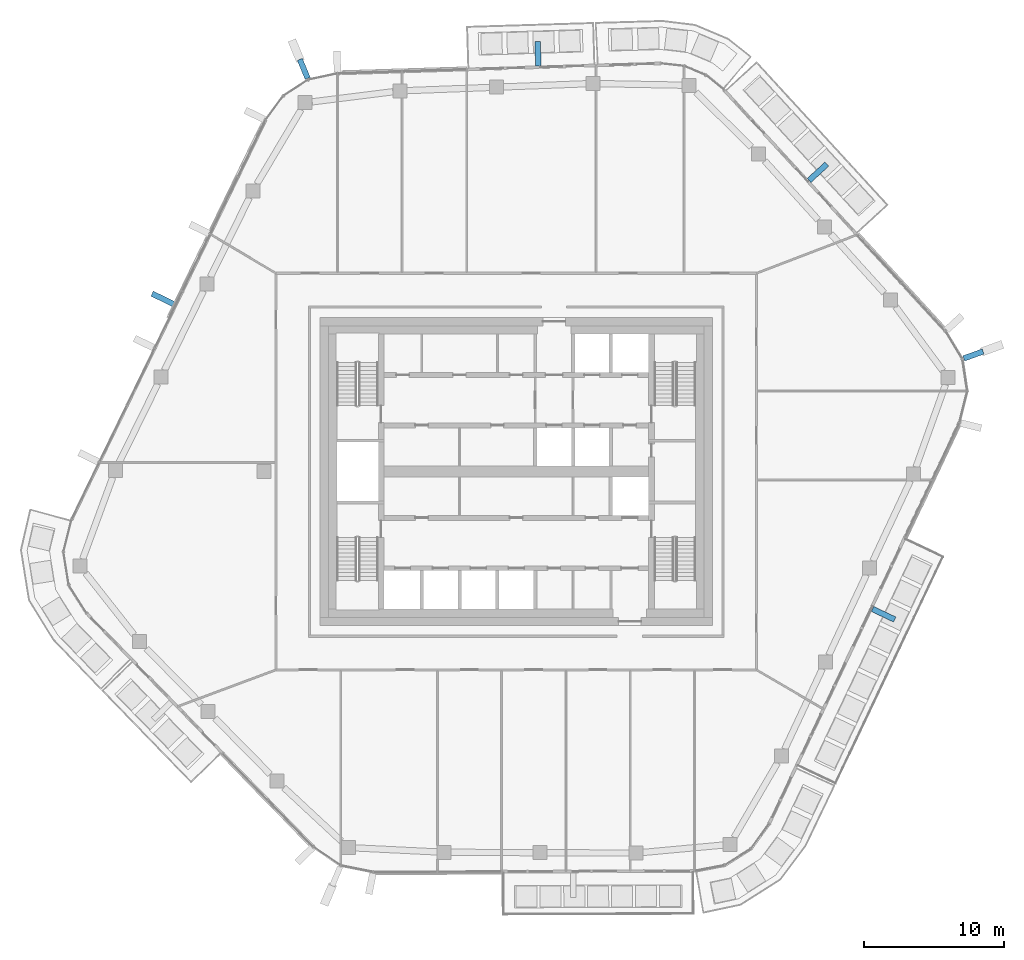
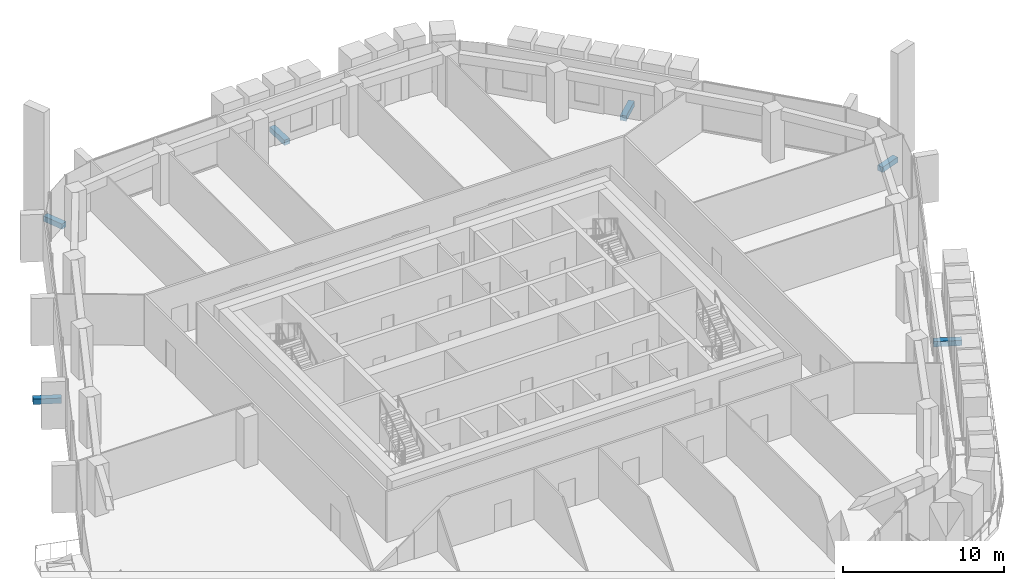
# One storey, part 17 of 24: 6 discrete accessories.
"""IFC4 building model written with IfcOpenShell, lengths in metres."""

from ifc_helpers import new_model, si_unit, direction, frame, origin, origin_2d, place, context, subcontext, project, spatial, rectangle, extrude, material, type_object, element, save


model = new_model("IFC4")

# Units and contexts
model_context = context("Model", 3, precision=1e-05, world=origin(), true_north=direction((0.0, 1.0)))
body_context = subcontext(model_context, "Body", "Model", "MODEL_VIEW")
ifc_project = project(units=[si_unit("LENGTHUNIT", "METRE"), si_unit("AREAUNIT", "SQUARE_METRE"), si_unit("VOLUMEUNIT", "CUBIC_METRE"), si_unit("PLANEANGLEUNIT", "RADIAN"), si_unit("MASSUNIT", "GRAM", prefix="KILO")], contexts=[model_context])

# Site, building, storey
site_placement = place(None, origin())
site = spatial("IfcSite", under=ifc_project, at=site_placement, CompositionType="ELEMENT")
building_placement = place(site_placement, origin())
building = spatial("IfcBuilding", under=site, at=building_placement, Name="Dongbaek Canopy Tower", CompositionType="ELEMENT")
storey_placement = place(building_placement, frame((0.0, 0.0, 344.60009765625)))
storey = spatial("IfcBuildingStorey", under=building, at=storey_placement, Name="L74", CompositionType="ELEMENT", Elevation=344.60009765625)

# Discrete accessories
ifc_material = material(Name="Galvanised steel S355 bracket", Category="steel")
discrete_accessory_type = type_object("IfcDiscreteAccessoryType", Name="Crease fin bracket BR3 400", PredefinedType="BRACKET", material=ifc_material)
discrete_accessory_1_placement = place(storey_placement, frame((26.2109375, -10.182861328125, -0.39013671875), z_axis=(0.0, 0.0, 1.0), x_axis=(0.903531340267, -0.428522014784, 0.0)))
element("IfcDiscreteAccessory", 1, at=discrete_accessory_1_placement, inside=storey, type_object=discrete_accessory_type, Name="Crease fin bracket L74 F5", PredefinedType="BRACKET", context=body_context, shape_type="SweptSolid", body=[
    extrude(rectangle(XDim=1.7578125, YDim=0.39990234375, at=origin_2d()), origin(), (0.0, 0.0, 1.0), 0.39990234375),
])
discrete_accessory_2_placement = place(storey_placement, frame((21.525390625, 21.35498046875, -0.39013671875), z_axis=(0.0, 0.0, 1.0), x_axis=(0.736567095318, 0.676364483171, 0.0)))
element("IfcDiscreteAccessory", 2, at=discrete_accessory_2_placement, inside=storey, type_object=discrete_accessory_type, Name="Crease fin bracket L74 F0", PredefinedType="BRACKET", context=body_context, shape_type="SweptSolid", body=[
    extrude(rectangle(XDim=1.722412109375, YDim=0.39990234375, at=origin_2d()), origin(), (0.0, 0.0, 1.0), 0.39990234375),
])
discrete_accessory_3_placement = place(storey_placement, frame((1.548095703125, 29.8203125, -0.39013671875), z_axis=(0.0, 0.0, 1.0), x_axis=(-0.031004295439, 0.999519251272, 0.0)))
element("IfcDiscreteAccessory", 3, at=discrete_accessory_3_placement, inside=storey, type_object=discrete_accessory_type, Name="Crease fin bracket L74 F1", PredefinedType="BRACKET", context=body_context, shape_type="SweptSolid", body=[
    extrude(rectangle(XDim=1.731201171875, YDim=0.39990234375, at=origin_2d()), origin(), (0.0, 0.0, 1.0), 0.39990234375),
])
discrete_accessory_4_placement = place(storey_placement, frame((-25.193115234375, 12.31005859375, -0.39013671875), z_axis=(0.0, 0.0, 1.0), x_axis=(-0.899563115429, 0.436790798164, 0.0)))
element("IfcDiscreteAccessory", 4, at=discrete_accessory_4_placement, inside=storey, type_object=discrete_accessory_type, Name="Crease fin bracket L74 F2", PredefinedType="BRACKET", context=body_context, shape_type="SweptSolid", body=[
    extrude(rectangle(XDim=1.77392578125, YDim=0.39990234375, at=origin_2d()), origin(), (0.0, 0.0, 1.0), 0.39990234375),
])
for number, where, z_axis, x_axis, name in (
    (5, (32.617919921875, 8.32080078125, -0.39013671875), (0.0, 0.0, 1.0), (0.940195416555, 0.340635551124, 0.0), "Corner fin bracket L74 K0"),
    (6, (-15.165771484375, 28.733154296875, -0.39013671875), (0.0, 0.0, 1.0), (-0.383510478012, 0.923536525133, 0.0), "Corner fin bracket L74 K2"),
):
    element("IfcDiscreteAccessory", number, at=place(storey_placement, frame(where, z_axis=z_axis, x_axis=x_axis)), inside=storey, type_object=discrete_accessory_type, Name=name, PredefinedType="BRACKET", context=body_context, shape_type="SweptSolid", body=[
        extrude(rectangle(XDim=1.469970703125, YDim=0.39990234375, at=origin_2d()), origin(), (0.0, 0.0, 1.0), 0.39990234375),
    ])

save(model, "model.ifc")
